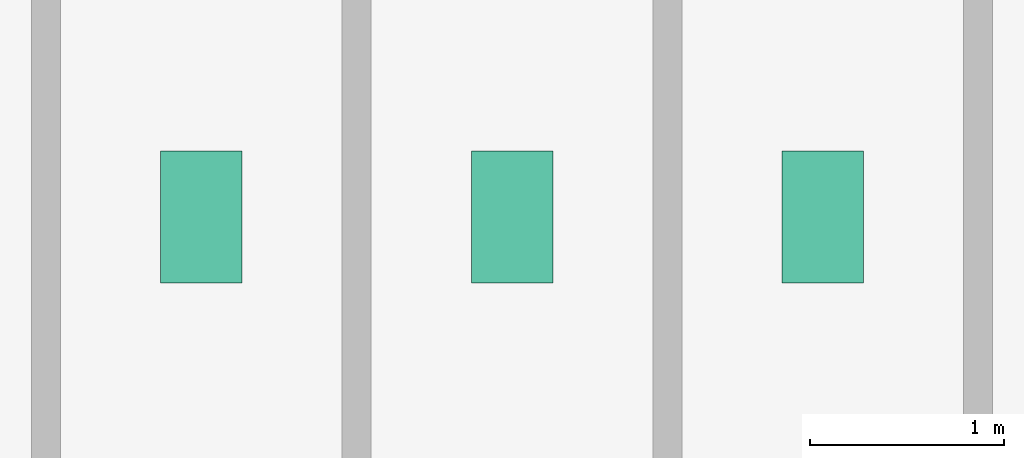
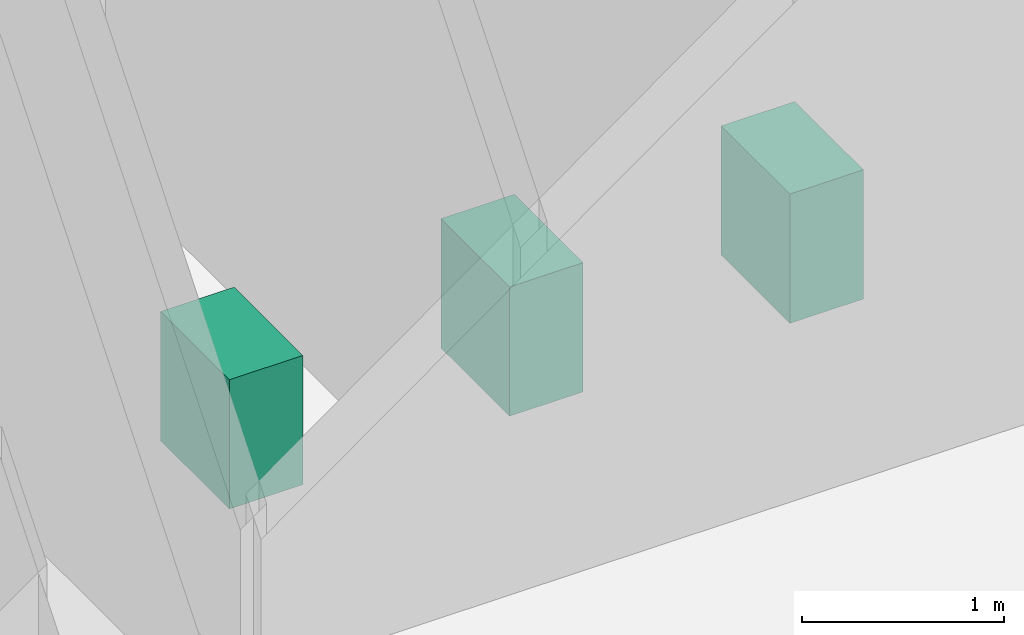
# One storey, part 22 of 22: 3 sanitary terminals.
"""IFC4 building model written with IfcOpenShell, lengths in metres."""

from ifc_helpers import new_model, si_unit, derived_unit, direction, frame, origin, origin_2d, place, context, subcontext, project, spatial, rectangle, extrude, source, transform, mapped, material, type_object, element, save


model = new_model("IFC4")

# Units and contexts
model_context = context("Model", 3, precision=1e-05, world=origin(), true_north=direction((0.0, 1.0)))
body_context = subcontext(model_context, "Body", "Model", "MODEL_VIEW")
ifc_project = project(units=[si_unit("LENGTHUNIT", "METRE"), si_unit("AREAUNIT", "SQUARE_METRE"), si_unit("VOLUMEUNIT", "CUBIC_METRE"), si_unit("PLANEANGLEUNIT", "RADIAN"), si_unit("MASSUNIT", "GRAM", prefix="KILO"), derived_unit("THERMALTRANSMITTANCEUNIT", [(si_unit("POWERUNIT", "WATT"), 1), (si_unit("LENGTHUNIT", "METRE"), -2), (si_unit("THERMODYNAMICTEMPERATUREUNIT", "KELVIN"), -1)])], contexts=[model_context])

# Site, building, storey
site_placement = place(None, origin())
site = spatial("IfcSite", under=ifc_project, at=site_placement, CompositionType="ELEMENT")
building_placement = place(site_placement, origin())
building = spatial("IfcBuilding", under=site, at=building_placement, Name="Skarnbrae Concourse Arena and Tower", CompositionType="ELEMENT")
storey_placement = place(building_placement, frame((0.0, 0.0, 244.199951171875)))
storey = spatial("IfcBuildingStorey", under=building, at=storey_placement, Name="L63", CompositionType="ELEMENT", Elevation=244.199951171875)

# Sanitary terminals
ifc_material = material(Name="Vitreous china sanitaryware", Category="other")
sanitary_terminal_type = type_object("IfcSanitaryTerminalType", Name="SAN-WC-VITREOUS", PredefinedType="TOILETPAN", material=ifc_material)
shared_shape = source(origin(), body_context, "Body", "SweptSolid", [
    extrude(rectangle(XDim=0.419921875, YDim=0.679931640625, at=origin_2d()), origin(), (0.0, 0.0, 1.0), 0.780029296875),
])
for number, where, z_axis, x_axis, name in (
    (1, (35.0, 11.39990234375, 0.0), (0.0, 0.0, 1.0), (1.0, 0.0, 0.0), "L63 Washroom WC fixture 1"),
    (2, (36.60009765625, 11.39990234375, 0.0), (0.0, 0.0, 1.0), (1.0, 0.0, 0.0), "L63 Washroom WC fixture 2"),
    (3, (38.199951171875, 11.39990234375, 0.0), (0.0, 0.0, 1.0), (1.0, 0.0, 0.0), "L63 Washroom WC fixture 3"),
):
    element("IfcSanitaryTerminal", number, at=place(storey_placement, frame(where, z_axis=z_axis, x_axis=x_axis)), inside=storey, type_object=sanitary_terminal_type, Name=name, PredefinedType="TOILETPAN", context=body_context, shape_type="MappedRepresentation", body=[
        mapped(shared_shape, transform((0.0, 0.0, 0.0))),
    ])

save(model, "model.ifc")
